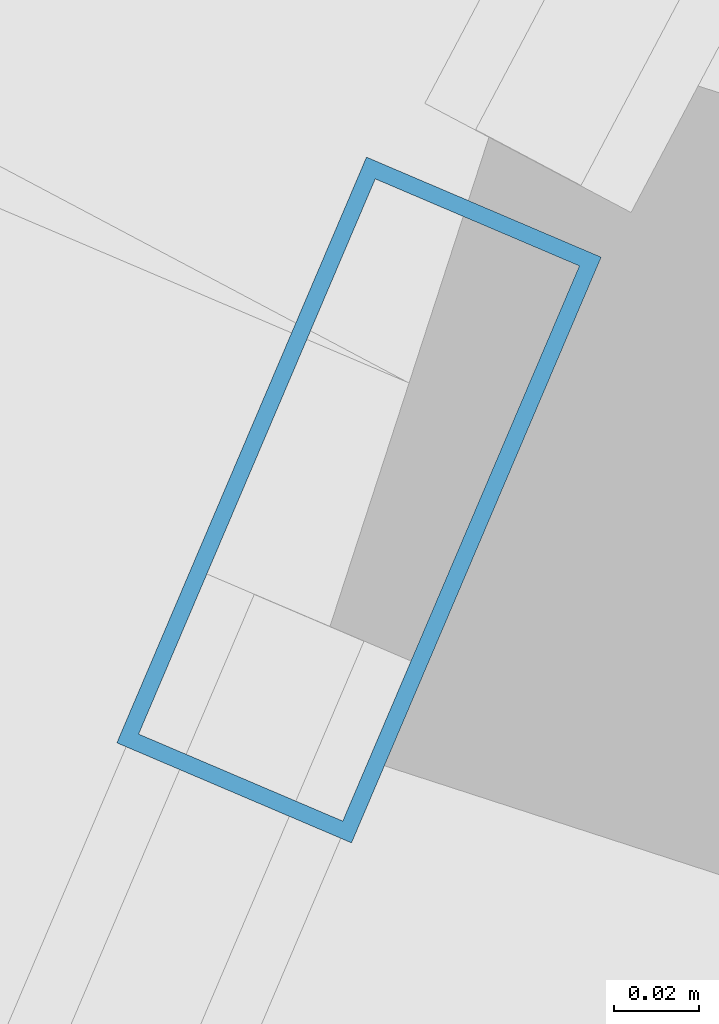
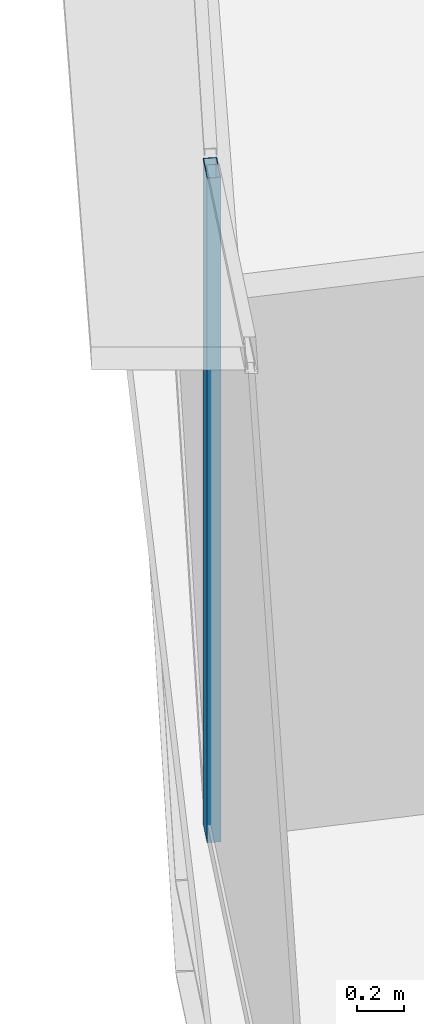
# One storey, part 8 of 42: 1 member, 1 element without a shape of its own.
"""IFC4 building model written with IfcOpenShell, lengths in metres."""

import ifcopenshell
import ifcopenshell.guid

model = None  # the IFC model being written
_history = None  # IfcOwnerHistory: only IFC2X3 demands one
_inside = {}  # id of a spatial element -> (the spatial element, [elements in it])
_under = {}  # id of a project, library or spatial element -> (it, [spatial elements below it])
_declared = {}  # id of a project -> (the project, [libraries it declares])
_typed = {}  # id of a type object -> (the type object, [elements of that type])
_made_of = {}  # id of a material, layer set ... -> (it, [elements and type objects made of it])


def new_model(schema):
    """Start an empty IFC model of exactly this schema.

    Asked for "IFC4X3", IfcOpenShell would pick the latest addendum, in which some entities
    have other attributes; the version numbers below select the first issue.
    IFC2X3 requires an IfcOwnerHistory on every rooted entity: one is made here for all.
    """
    global model, _history
    if schema == "IFC4X3":
        model = ifcopenshell.file(schema_version=(4, 3, 0, 0))
    else:
        model = ifcopenshell.file(schema=schema)
    _inside.clear()
    _under.clear()
    _declared.clear()
    _typed.clear()
    _made_of.clear()
    _history = None
    if model.schema == "IFC2X3":
        org = make("IfcOrganization", Name="unknown")
        user = make(
            "IfcPersonAndOrganization",
            ThePerson=make("IfcPerson", FamilyName="unknown"),
            TheOrganization=org,
        )
        app = make(
            "IfcApplication",
            ApplicationDeveloper=org,
            Version="unknown",
            ApplicationFullName="unknown",
            ApplicationIdentifier="unknown",
        )
        _history = make(
            "IfcOwnerHistory",
            OwningUser=user,
            OwningApplication=app,
            ChangeAction="ADDED",
            CreationDate=0,
        )
    return model


def make(cls, **values):
    """One entity of the class cls with the attributes given. An attribute that is None is left unset."""
    return model.create_entity(
        cls, **{name: value for name, value in values.items() if value is not None}
    )


def rooted(cls, **values):
    """An entity with a GlobalId (a new one), such as an element, a storey or a relation."""
    return make(cls, GlobalId=ifcopenshell.guid.new(), OwnerHistory=_history, **values)


def si_unit(unit_type, name, prefix=None):
    """IfcSIUnit, for example si_unit("LENGTHUNIT", "METRE", prefix="MILLI")."""
    return make("IfcSIUnit", UnitType=unit_type, Prefix=prefix, Name=name)


def assignment(units):
    """IfcUnitAssignment: the units of a project."""
    return None if units is None else make("IfcUnitAssignment", Units=units)


def point(xyz):
    """IfcCartesianPoint."""
    return None if xyz is None else make("IfcCartesianPoint", Coordinates=xyz)


def direction(xyz):
    """IfcDirection."""
    return None if xyz is None else make("IfcDirection", DirectionRatios=xyz)


def frame(location, z_axis=None, x_axis=None):
    """IfcAxis2Placement3D, a coordinate frame: its origin and axes. An axis left out is left unset."""
    return make(
        "IfcAxis2Placement3D",
        Location=point(location),
        Axis=direction(z_axis),
        RefDirection=direction(x_axis),
    )


def frame_2d(location, x_axis=None):
    """IfcAxis2Placement2D, a coordinate frame in the plane: its origin and x axis."""
    return make(
        "IfcAxis2Placement2D", Location=point(location), RefDirection=direction(x_axis)
    )


def origin():
    """The frame at (0, 0, 0) with its axes left unset."""
    return frame((0.0, 0.0, 0.0))


def origin_2d():
    """The frame at (0, 0) in the plane with its x axis left unset."""
    return frame_2d((0.0, 0.0))


def place(relative_to, where):
    """IfcLocalPlacement: puts the frame where relative to a parent placement (None: the world)."""
    return make(
        "IfcLocalPlacement", PlacementRelTo=relative_to, RelativePlacement=where
    )


def context(
    kind, dimensions, precision=None, world=None, true_north=None, identifier=None
):
    """IfcGeometricRepresentationContext, for example the 3D "Model" context."""
    return make(
        "IfcGeometricRepresentationContext",
        ContextIdentifier=identifier,
        ContextType=kind,
        CoordinateSpaceDimension=dimensions,
        Precision=precision,
        WorldCoordinateSystem=world,
        TrueNorth=true_north,
    )


def subcontext(parent, identifier, kind, view, scale=None):
    """IfcGeometricRepresentationSubContext, for example "Body" below "Model"."""
    return make(
        "IfcGeometricRepresentationSubContext",
        ContextIdentifier=identifier,
        ContextType=kind,
        ParentContext=parent,
        TargetScale=scale,
        TargetView=view,
    )


def project(units=None, contexts=None):
    """IfcProject with its units and contexts."""
    return rooted(
        "IfcProject",
        Name="project",
        RepresentationContexts=contexts,
        UnitsInContext=assignment(units),
    )


def spatial(cls, under=None, at=None, **own):
    """A site, building, storey or space (cls), placed at a placement, below another one or the project."""
    s = rooted(cls, ObjectPlacement=at, **own)
    if under is not None:
        _under.setdefault(under.id(), (under, []))[1].append(s)
    return s


def profile(cls, at=None, kind="AREA", **sizes):
    """A parametric profile (cls). Its sizes go by their IFC names, for example OverallWidth=200.0."""
    return make(cls, ProfileType=kind, Position=at, **sizes)


def hollow_rectangle(**sizes):
    """IfcRectangleHollowProfileDef."""
    return profile("IfcRectangleHollowProfileDef", **sizes)


def extrude(swept, where, along, depth):
    """IfcExtrudedAreaSolid: the profile swept, set in the frame where, extruded along a direction by depth."""
    return make(
        "IfcExtrudedAreaSolid",
        SweptArea=swept,
        Position=where,
        ExtrudedDirection=direction(along),
        Depth=depth,
    )


def shape(context_of_items, identifier, shape_type, items):
    """IfcShapeRepresentation: the items that make up one representation, for example the "Body"."""
    return make(
        "IfcShapeRepresentation",
        ContextOfItems=context_of_items,
        RepresentationIdentifier=identifier,
        RepresentationType=shape_type,
        Items=items,
    )


def source(mapping_origin, context_of_items, identifier, shape_type, items):
    """IfcRepresentationMap: a shape defined once, which mapped items show again and again."""
    return make(
        "IfcRepresentationMap",
        MappingOrigin=mapping_origin,
        MappedRepresentation=shape(context_of_items, identifier, shape_type, items),
    )


def transform(
    local_origin,
    x_axis=None,
    y_axis=None,
    z_axis=None,
    scale=None,
    scale2=None,
    scale3=None,
    uniform=True,
):
    """IfcCartesianTransformationOperator3D, or its non-uniform kind. x_axis, y_axis, z_axis: its Axis1, 2, 3."""
    if uniform:
        return make(
            "IfcCartesianTransformationOperator3D",
            Axis1=direction(x_axis),
            Axis2=direction(y_axis),
            LocalOrigin=point(local_origin),
            Scale=scale,
            Axis3=direction(z_axis),
        )
    return make(
        "IfcCartesianTransformationOperator3DnonUniform",
        Axis1=direction(x_axis),
        Axis2=direction(y_axis),
        LocalOrigin=point(local_origin),
        Scale=scale,
        Axis3=direction(z_axis),
        Scale2=scale2,
        Scale3=scale3,
    )


def mapped(mapping_source, mapping_target):
    """IfcMappedItem: shows the shape of a source again, moved by a transform."""
    return make(
        "IfcMappedItem", MappingSource=mapping_source, MappingTarget=mapping_target
    )


def material(Name=None, Category=None):
    """IfcMaterial."""
    return make("IfcMaterial", Name=Name, Category=Category)


def layer(
    of_material, thickness, ventilated=None, Name=None, Category=None, Priority=None
):
    """IfcMaterialLayer: one layer of a wall or slab, of a material (None: an air gap)."""
    return make(
        "IfcMaterialLayer",
        Material=of_material,
        LayerThickness=thickness,
        IsVentilated=ventilated,
        Name=Name,
        Category=Category,
        Priority=Priority,
    )


def layer_set(layers, Name=None):
    """IfcMaterialLayerSet."""
    return make("IfcMaterialLayerSet", MaterialLayers=layers, LayerSetName=Name)


def material_profile(
    of_material, cross_section, Name=None, Category=None, Priority=None
):
    """IfcMaterialProfile: a cross section and its material."""
    return make(
        "IfcMaterialProfile",
        Name=Name,
        Material=of_material,
        Profile=cross_section,
        Priority=Priority,
        Category=Category,
    )


def profile_set(profiles, Name=None, composite=None):
    """IfcMaterialProfileSet."""
    return make(
        "IfcMaterialProfileSet",
        Name=Name,
        MaterialProfiles=profiles,
        CompositeProfile=composite,
    )


def made_of(thing, what):
    """Note that an element or type object is made of a material, layer set ...; save() writes the relation."""
    if what is not None:
        _made_of.setdefault(what.id(), (what, []))[1].append(thing)
    return thing


def type_object(cls, material=None, **own):
    """A type object (cls), such as IfcWallType, which elements share."""
    return made_of(rooted(cls, **own), material)


def element(
    cls,
    number,
    at=None,
    inside=None,
    cuts=None,
    type_object=None,
    material=None,
    context=None,
    identifier="Body",
    shape_type=None,
    held_by="IfcProductDefinitionShape",
    body=None,
    shapes=None,
    **own,
):
    """One element of the class cls, such as IfcWall. Its Tag is "e" and its number.

    at: its placement. inside: the storey or other place that contains it. cuts: it is an
    opening in that element (IfcRelVoidsElement). A single representation is given by context,
    identifier, shape_type and body (its items); several are given by shapes. held_by: the class
    of the entity that holds the representations. save() writes the other relations.
    """
    e = rooted(cls, Tag="e%d" % number, ObjectPlacement=at, **own)
    if body is not None:
        shapes = [shape(context, identifier, shape_type, body)]
    if shapes is not None:
        e.Representation = make(held_by, Representations=shapes)
    if inside is not None:
        _inside.setdefault(inside.id(), (inside, []))[1].append(e)
    if cuts is not None:
        rooted(
            "IfcRelVoidsElement", RelatingBuildingElement=cuts, RelatedOpeningElement=e
        )
    if type_object is not None:
        _typed.setdefault(type_object.id(), (type_object, []))[1].append(e)
    return made_of(e, material)


def aggregate(whole, parts):
    """IfcRelAggregates: a whole, such as a stair, and the parts it consists of."""
    return rooted("IfcRelAggregates", RelatingObject=whole, RelatedObjects=parts)


def save(model, path):
    """Write the relations noted so far, then the file.

    IfcRelAggregates (storeys below a building ...), IfcRelContainedInSpatialStructure (elements
    in a storey), IfcRelDefinesByType, IfcRelAssociatesMaterial and IfcRelDeclares: one each for
    every whole, place, type object, material and project.
    """
    for whole, parts in _under.values():
        aggregate(whole, parts)
    for where, things in _inside.values():
        rooted(
            "IfcRelContainedInSpatialStructure",
            RelatedElements=things,
            RelatingStructure=where,
        )
    for kind, things in _typed.values():
        rooted("IfcRelDefinesByType", RelatedObjects=things, RelatingType=kind)
    for what, things in _made_of.values():
        rooted("IfcRelAssociatesMaterial", RelatedObjects=things, RelatingMaterial=what)
    for by, libraries in _declared.values():
        rooted("IfcRelDeclares", RelatingContext=by, RelatedDefinitions=libraries)
    model.write(path)


model = new_model("IFC4")

# Units and contexts
model_context = context("Model", 3, precision=1e-05, world=origin(), true_north=direction((0.0, 1.0)))
body_context = subcontext(model_context, "Body", "Model", "MODEL_VIEW")
ifc_project = project(units=[si_unit("LENGTHUNIT", "METRE"), si_unit("AREAUNIT", "SQUARE_METRE"), si_unit("VOLUMEUNIT", "CUBIC_METRE"), si_unit("PLANEANGLEUNIT", "RADIAN"), si_unit("MASSUNIT", "GRAM", prefix="KILO"), si_unit("THERMODYNAMICTEMPERATUREUNIT", "KELVIN"), si_unit("POWERUNIT", "WATT")], contexts=[model_context])

# Site, building, storey
site_placement = place(None, origin())
site = spatial("IfcSite", under=ifc_project, at=site_placement, CompositionType="ELEMENT")
building_placement = place(site_placement, origin())
building = spatial("IfcBuilding", under=site, at=building_placement, Name="Yunzhuo Pagoda Commons", CompositionType="ELEMENT")
storey_placement = place(building_placement, frame((0.0, 0.0, 137.18994140625)))
storey = spatial("IfcBuildingStorey", under=building, at=storey_placement, Name="L34", CompositionType="ELEMENT", Elevation=137.18994140625)

# Curtain wall, member
ifc_material = material(Name="Anodized aluminium 6063-T6", Category="aluminium")
ifc_layer = layer(ifc_material, 0.14990234375)
ifc_layer_set = layer_set([ifc_layer], Name="Anodized aluminium 6063-T6")
curtain_wall_type = type_object("IfcCurtainWallType", Name="CW-MID Mid-Zone Ribbon Curtain Wall", PredefinedType="NOTDEFINED", material=ifc_layer_set)
curtain_wall_placement = place(storey_placement, origin())
curtain_wall = element("IfcCurtainWall", 1, at=curtain_wall_placement, inside=storey, type_object=curtain_wall_type, Name="L34 curtain wall CW-L34-F3B4", PredefinedType="NOTDEFINED")
ifc_material_profile = material_profile(ifc_material, hollow_rectangle(XDim=0.06005859375, YDim=0.14990234375, WallThickness=0.00390625, at=origin_2d()), Name="Anodized aluminium 6063-T6")
ifc_profile_set = profile_set([ifc_material_profile], Name="Anodized aluminium 6063-T6")
member_type = type_object("IfcMemberType", Name="CW-MID-M Mullion RHS 150x60x4", PredefinedType="MULLION", material=ifc_profile_set)
shared_shape = source(origin(), body_context, "Body", "SweptSolid", [
    extrude(hollow_rectangle(XDim=0.06005859375, YDim=0.14990234375, WallThickness=0.00390625, at=origin_2d()), origin(), (0.0, 0.0, 1.0), 3.420166015625),
])
member_placement = place(storey_placement, frame((16.267822265625, 43.97900390625, 0.0), z_axis=(0.0, 0.0, 1.0), x_axis=(0.919928137274, -0.392087008522, 0.0)))
member = element("IfcMember", 2, at=member_placement, type_object=member_type, Name="CW mullion 1", PredefinedType="MULLION", context=body_context, shape_type="MappedRepresentation", body=[
    mapped(shared_shape, transform((0.0, 0.0, 0.0), scale=1.0)),
])
aggregate(curtain_wall, [member])

save(model, "model.ifc")
